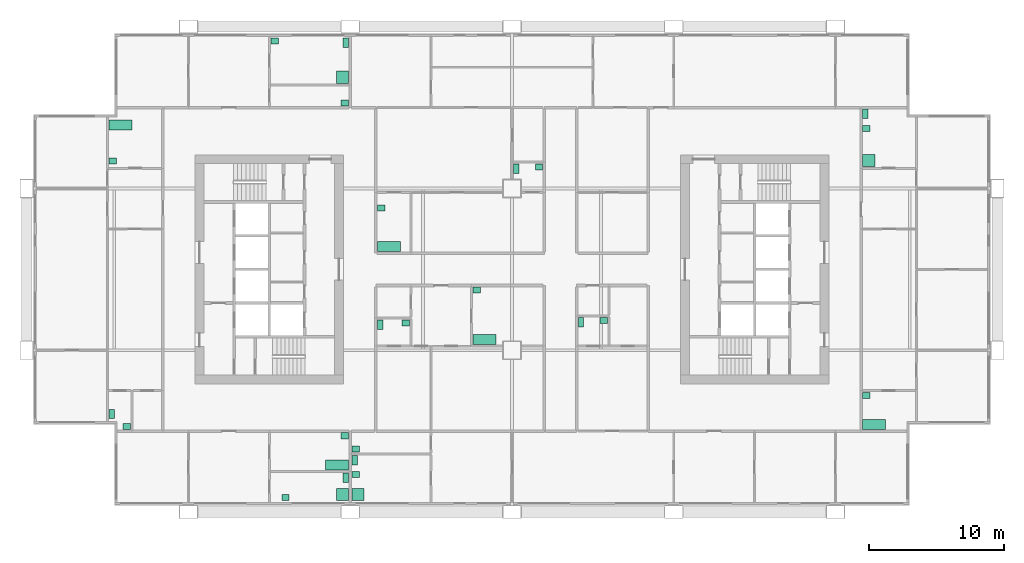
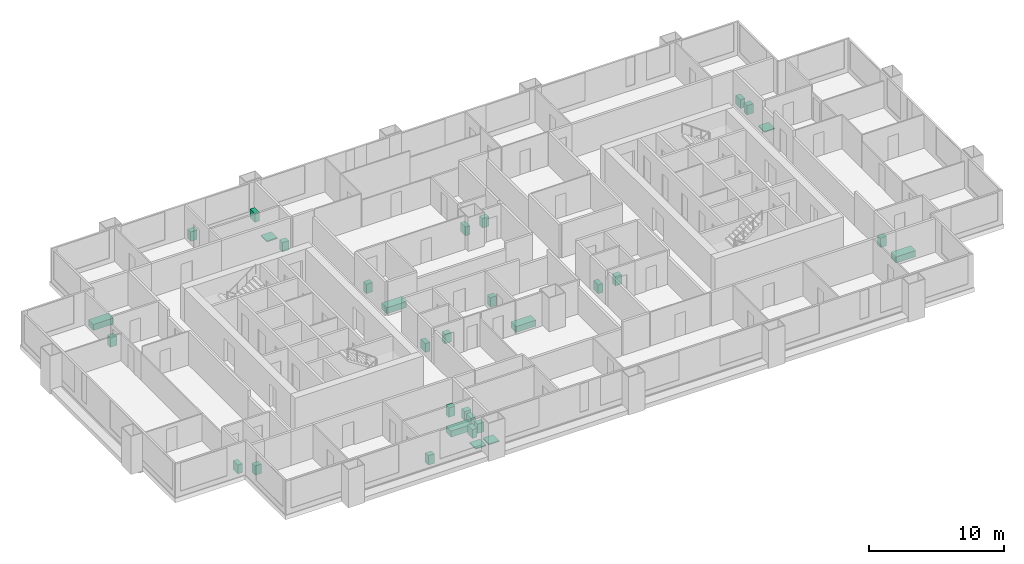
# One storey, part 11 of 11: 32 sanitary terminals.
"""IFC4 building model written with IfcOpenShell, lengths in metres."""

from ifc_helpers import new_model, si_unit, direction, frame, origin, origin_2d, place, context, subcontext, project, spatial, rectangle, extrude, material, type_object, element, save


model = new_model("IFC4")

# Units and contexts
model_context = context("Model", 3, precision=1e-05, world=origin(), true_north=direction((0.0, 1.0)))
body_context = subcontext(model_context, "Body", "Model", "MODEL_VIEW")
ifc_project = project(units=[si_unit("LENGTHUNIT", "METRE"), si_unit("AREAUNIT", "SQUARE_METRE"), si_unit("VOLUMEUNIT", "CUBIC_METRE"), si_unit("PLANEANGLEUNIT", "RADIAN"), si_unit("MASSUNIT", "GRAM", prefix="KILO")], contexts=[model_context])

# Site, building, storey
site_placement = place(None, origin())
site = spatial("IfcSite", under=ifc_project, at=site_placement, CompositionType="ELEMENT")
building_placement = place(site_placement, origin())
building = spatial("IfcBuilding", under=site, at=building_placement, Name="Kitamizu Gate Tower and Museum", CompositionType="ELEMENT")
storey_placement = place(building_placement, frame((0.0, 0.0, 141.449951171875)))
storey = spatial("IfcBuildingStorey", under=building, at=storey_placement, Name="L37", CompositionType="ELEMENT", Elevation=141.449951171875)

# Sanitary terminals
ifc_material_1 = material(Name="Acrylic")
sanitary_terminal_type_1 = type_object("IfcSanitaryTerminalType", Name="Bath", PredefinedType="BATH", material=ifc_material_1)
for number, where, z_axis, x_axis, name in (
    (1, (23.030029296875, 15.4951171875, 0.0009765625), (0.0, 0.0, 1.0), (1.0, 0.0, 0.0), "Bath Bathroom 37A"),
    (2, (6.969970703125, 40.705078125, 0.0009765625), (0.0, 0.0, 1.0), (1.0, 0.0, 0.0), "Bath Bathroom 37B"),
    (3, (33.969970703125, 24.794921875, 0.0009765625), (0.0, 0.0, 1.0), (1.0, 0.0, 0.0), "Bath Bathroom 37C"),
    (4, (62.8701171875, 18.4951171875, 0.0009765625), (0.0, 0.0, 1.0), (1.0, 0.0, 0.0), "Bath Bathroom and WC 37E"),
    (5, (26.8701171875, 31.695068359375, 0.0009765625), (0.0, 0.0, 1.0), (1.0, 0.0, 0.0), "Bath Bathroom 37G"),
):
    element("IfcSanitaryTerminal", number, at=place(storey_placement, frame(where, z_axis=z_axis, x_axis=x_axis)), inside=storey, type_object=sanitary_terminal_type_1, Name=name, PredefinedType="BATH", context=body_context, shape_type="SweptSolid", body=[
        extrude(rectangle(XDim=1.699951171875, YDim=0.75, at=origin_2d()), origin(), (0.0, 0.0, 1.0), 0.550048828125),
    ])
ifc_material_2 = material(Name="Acrylic")
sanitary_terminal_type_2 = type_object("IfcSanitaryTerminalType", Name="Shower tray", PredefinedType="SHOWER", material=ifc_material_2)
for number, where, z_axis, x_axis, name in (
    (6, (23.429931640625, 13.2900390625, 0.0009765625), (0.0, 0.0, 1.0), (1.0, 0.0, 0.0), "Shower tray En-suite bathroom and WC 37A"),
    (7, (24.570068359375, 13.2900390625, 0.0009765625), (0.0, 0.0, 1.0), (1.0, 0.0, 0.0), "Shower tray En-suite bathroom 37D"),
    (8, (62.469970703125, 38.070068359375, 0.0009765625), (0.0, 0.0, 1.0), (1.0, 0.0, 0.0), "Shower tray En-suite bathroom 37E"),
    (9, (23.429931640625, 44.25, 0.0009765625), (0.0, 0.0, 1.0), (1.0, 0.0, 0.0), "Shower tray En-suite bathroom and WC 37F"),
):
    element("IfcSanitaryTerminal", number, at=place(storey_placement, frame(where, z_axis=z_axis, x_axis=x_axis)), inside=storey, type_object=sanitary_terminal_type_2, Name=name, PredefinedType="SHOWER", context=body_context, shape_type="SweptSolid", body=[
        extrude(rectangle(XDim=0.89990234375, YDim=0.89990234375, at=origin_2d()), origin(), (0.0, 0.0, 1.0), 0.10009765625),
    ])
ifc_material_3 = material(Name="Vitreous china")
sanitary_terminal_type_3 = type_object("IfcSanitaryTerminalType", Name="Wash hand basin", PredefinedType="WASHHANDBASIN", material=ifc_material_3)
for number, where, z_axis, x_axis, name in (
    (10, (19.195068359375, 13.06494140625, 0.0009765625), (0.0, 0.0, 1.0), (1.0, 0.0, 0.0), "Wash hand basin En-suite bathroom and WC 37A"),
    (11, (23.60498046875, 17.655029296875, 0.0009765625), (0.0, 0.0, 1.0), (1.0, 0.0, 0.0), "Wash hand basin Bathroom 37A"),
    (12, (7.405029296875, 18.344970703125, 0.0009765625), (0.0, 0.0, 1.0), (1.0, 0.0, 0.0), "Wash hand basin WC 37B"),
    (13, (6.39501953125, 38.044921875, 0.0009765625), (0.0, 0.0, 1.0), (1.0, 0.0, 0.0), "Wash hand basin Bathroom 37B"),
    (14, (28.10498046875, 26.031982421875, 0.0009765625), (0.0, 0.0, 1.0), (1.0, 0.0, 0.0), "Wash hand basin WC 37C"),
    (15, (33.39501953125, 28.455078125, 0.0009765625), (0.0, 0.0, 1.0), (1.0, 0.0, 0.0), "Wash hand basin Bathroom 37C"),
    (16, (24.39501953125, 14.77490234375, 0.0009765625), (0.0, 0.0, 1.0), (1.0, 0.0, 0.0), "Wash hand basin En-suite bathroom 37D"),
    (17, (24.39501953125, 16.6650390625, 0.0009765625), (0.0, 0.0, 1.0), (1.0, 0.0, 0.0), "Wash hand basin Wash room 37D"),
    (18, (42.804931640625, 26.205078125, 0.0009765625), (0.0, 0.0, 1.0), (1.0, 0.0, 0.0), "Wash hand basin WC 37D"),
    (19, (62.294921875, 20.655029296875, 0.0009765625), (0.0, 0.0, 1.0), (1.0, 0.0, 0.0), "Wash hand basin Bathroom and WC 37E"),
    (20, (62.294921875, 40.455078125, 0.0009765625), (0.0, 0.0, 1.0), (1.0, 0.0, 0.0), "Wash hand basin En-suite bathroom 37E"),
    (21, (18.39501953125, 46.93505859375, 0.0009765625), (0.0, 0.0, 1.0), (1.0, 0.0, 0.0), "Wash hand basin En-suite bathroom and WC 37F"),
    (22, (23.60498046875, 42.344970703125, 0.0009765625), (0.0, 0.0, 1.0), (1.0, 0.0, 0.0), "Wash hand basin Wash room 37F"),
    (23, (38.0048828125, 37.60498046875, 0.0009765625), (0.0, 0.0, 1.0), (1.0, 0.0, 0.0), "Wash hand basin WC 37G"),
    (24, (26.294921875, 34.554931640625, 0.0009765625), (0.0, 0.0, 1.0), (1.0, 0.0, 0.0), "Wash hand basin Bathroom 37G"),
):
    element("IfcSanitaryTerminal", number, at=place(storey_placement, frame(where, z_axis=z_axis, x_axis=x_axis)), inside=storey, type_object=sanitary_terminal_type_3, Name=name, PredefinedType="WASHHANDBASIN", context=body_context, shape_type="SweptSolid", body=[
        extrude(rectangle(XDim=0.550048828125, YDim=0.449951171875, at=origin_2d()), origin(), (0.0, 0.0, 1.0), 0.85009765625),
    ])
ifc_material_4 = material(Name="Vitreous china")
sanitary_terminal_type_4 = type_object("IfcSanitaryTerminalType", Name="Water closet", PredefinedType="TOILETPAN", material=ifc_material_4)
for number, where, z_axis, x_axis, name in (
    (25, (23.679931640625, 14.530029296875, 0.0009765625), (0.0, 0.0, 1.0), (1.0, 0.0, 0.0), "Water closet En-suite bathroom and WC 37A"),
    (26, (6.320068359375, 19.27001953125, 0.0009765625), (0.0, 0.0, 1.0), (1.0, 0.0, 0.0), "Water closet WC 37B"),
    (27, (26.219970703125, 25.906982421875, 0.0009765625), (0.0, 0.0, 1.0), (1.0, 0.0, 0.0), "Water closet WC 37C"),
    (28, (24.320068359375, 15.85009765625, 0.0009765625), (0.0, 0.0, 1.0), (1.0, 0.0, 0.0), "Water closet En-suite bathroom 37D"),
    (29, (41.1201171875, 26.080078125, 0.0009765625), (0.0, 0.0, 1.0), (1.0, 0.0, 0.0), "Water closet WC 37D"),
    (30, (62.219970703125, 41.530029296875, 0.0009765625), (0.0, 0.0, 1.0), (1.0, 0.0, 0.0), "Water closet En-suite bathroom 37E"),
    (31, (23.679931640625, 46.81005859375, 0.0009765625), (0.0, 0.0, 1.0), (1.0, 0.0, 0.0), "Water closet En-suite bathroom and WC 37F"),
    (32, (36.320068359375, 37.47998046875, 0.0009765625), (0.0, 0.0, 1.0), (1.0, 0.0, 0.0), "Water closet WC 37G"),
):
    element("IfcSanitaryTerminal", number, at=place(storey_placement, frame(where, z_axis=z_axis, x_axis=x_axis)), inside=storey, type_object=sanitary_terminal_type_4, Name=name, PredefinedType="TOILETPAN", context=body_context, shape_type="SweptSolid", body=[
        extrude(rectangle(XDim=0.39990234375, YDim=0.699951171875, at=origin_2d()), origin(), (0.0, 0.0, 1.0), 0.800048828125),
    ])

save(model, "model.ifc")
